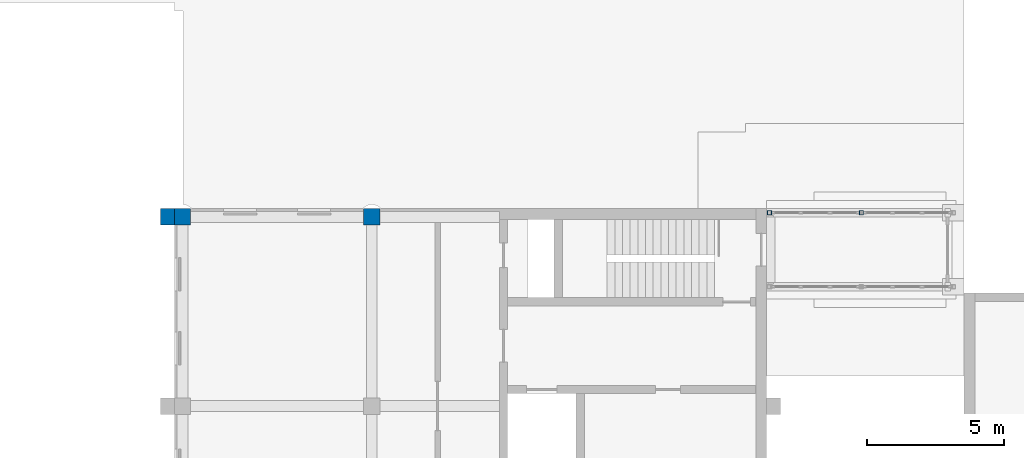
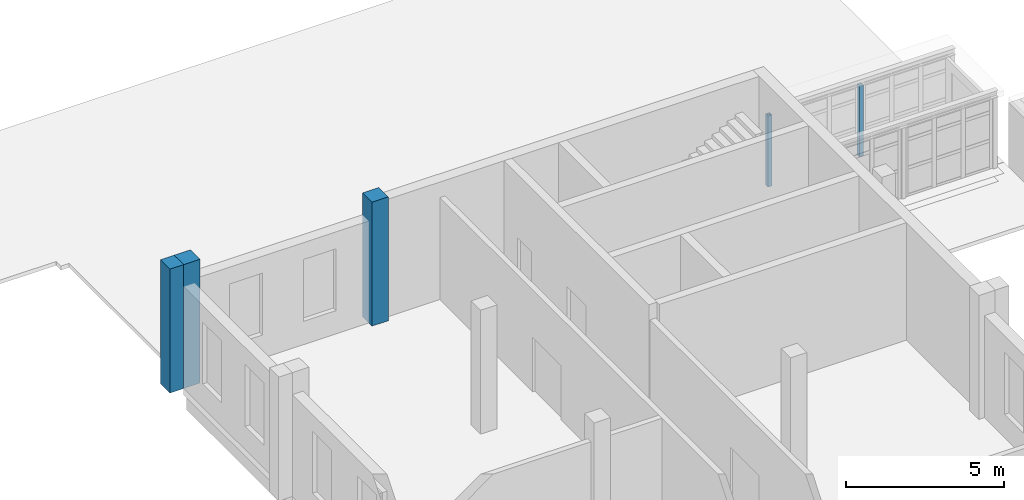
# One storey, part 28 of 131: 5 columns.
"""IFC4 building model written with IfcOpenShell, lengths in metres."""

from ifc_helpers import new_model, si_unit, direction, frame, origin, origin_2d, place, context, subcontext, project, spatial, rectangle, hollow_rectangle, extrude, material, material_profile, profile_set, type_object, element, save


model = new_model("IFC4")

# Units and contexts
model_context = context("Model", 3, precision=1e-05, world=origin(), true_north=direction((0.0, 1.0)))
body_context = subcontext(model_context, "Body", "Model", "MODEL_VIEW")
ifc_project = project(units=[si_unit("LENGTHUNIT", "METRE"), si_unit("AREAUNIT", "SQUARE_METRE"), si_unit("VOLUMEUNIT", "CUBIC_METRE"), si_unit("PLANEANGLEUNIT", "RADIAN"), si_unit("MASSUNIT", "GRAM", prefix="KILO")], contexts=[model_context])

# Site, building, storey
site_placement = place(None, origin())
site = spatial("IfcSite", under=ifc_project, at=site_placement, CompositionType="ELEMENT")
building_placement = place(site_placement, origin())
building = spatial("IfcBuilding", under=site, at=building_placement, Name="Alderwick Market Hall", CompositionType="ELEMENT")
storey_placement = place(building_placement, frame((0.0, 0.0, 4.800048828125)))
storey = spatial("IfcBuildingStorey", under=building, at=storey_placement, Name="L00", CompositionType="ELEMENT", Elevation=4.800048828125)

# Columns
ifc_material_1 = material(Name="Concrete 5000 psi (f'c 35 MPa)", Category="concrete")
ifc_material_profile_1 = material_profile(ifc_material_1, rectangle(XDim=0.5, YDim=0.60009765625, at=origin_2d()), Name="B Pilaster 500x600")
ifc_profile_set_1 = profile_set([ifc_material_profile_1], Name="Concrete 5000 psi (f'c 35 MPa)")
column_type_1 = type_object("IfcColumnType", Name="B Pilaster 500x600", PredefinedType="COLUMN", material=ifc_profile_set_1)
column_placement = place(storey_placement, frame((21.35009765625, 129.300048828125, 0.0), z_axis=(0.0, 0.0, 1.0), x_axis=(1.0, 0.0, 0.0)))
element("IfcColumn", 1, at=column_placement, inside=storey, type_object=column_type_1, Name="Pilaster W07", PredefinedType="COLUMN", context=body_context, shape_type="SweptSolid", body=[
    extrude(rectangle(XDim=0.5, YDim=0.60009765625, at=origin_2d()), origin(), (0.0, 0.0, 1.0), 4.800048828125),
])
ifc_material_2 = material(Name="Precast concrete 6000 psi (f'c 42 MPa)", Category="concrete")
ifc_material_profile_2 = material_profile(ifc_material_2, rectangle(XDim=0.60009765625, YDim=0.60009765625, at=origin_2d()), Name="B Precast Pier 600x600")
ifc_profile_set_2 = profile_set([ifc_material_profile_2], Name="Precast concrete 6000 psi (f'c 42 MPa)")
column_type_2 = type_object("IfcColumnType", Name="B Precast Pier 600x600", PredefinedType="COLUMN", material=ifc_profile_set_2)
for number, where, z_axis, x_axis, name in (
    (2, (21.89990234375, 129.300048828125, 0.0), (0.0, 0.0, 1.0), (1.0, 0.0, 0.0), "B.N.col.L00.003-003"),
    (3, (28.800048828125, 129.300048828125, 0.0), (0.0, 0.0, 1.0), (1.0, 0.0, 0.0), "B.N.col.L00.072-003"),
):
    element("IfcColumn", number, at=place(storey_placement, frame(where, z_axis=z_axis, x_axis=x_axis)), inside=storey, type_object=column_type_2, Name=name, PredefinedType="COLUMN", context=body_context, shape_type="SweptSolid", body=[
        extrude(rectangle(XDim=0.60009765625, YDim=0.60009765625, at=origin_2d()), origin(), (0.0, 0.0, 1.0), 4.800048828125),
    ])
ifc_material_3 = material(Name="Steel ASTM A500 Grade C", Category="steel")
ifc_material_profile_3 = material_profile(ifc_material_3, hollow_rectangle(XDim=0.152099609375, YDim=0.152099609375, WallThickness=0.009521484375, at=origin_2d()), Name="HSS152x152x9.5")
ifc_profile_set_3 = profile_set([ifc_material_profile_3], Name="Steel ASTM A500 Grade C")
column_type_3 = type_object("IfcColumnType", Name="P HSS Column 152x152x9.5", PredefinedType="COLUMN", material=ifc_profile_set_3)
for number, where, z_axis, x_axis, name in (
    (4, (43.300048828125, 129.449951171875, 0.0), (0.0, 0.0, 1.0), (1.0, 0.0, 0.0), "P.P7.col.b0"),
    (5, (46.64990234375, 129.449951171875, 0.0), (0.0, 0.0, 1.0), (1.0, 0.0, 0.0), "P.P7.col.b1"),
):
    element("IfcColumn", number, at=place(storey_placement, frame(where, z_axis=z_axis, x_axis=x_axis)), inside=storey, type_object=column_type_3, Name=name, PredefinedType="COLUMN", context=body_context, shape_type="SweptSolid", body=[
        extrude(hollow_rectangle(XDim=0.152099609375, YDim=0.152099609375, WallThickness=0.009521484375, at=origin_2d()), origin(), (0.0, 0.0, 1.0), 2.7529296875),
    ])

save(model, "model.ifc")
